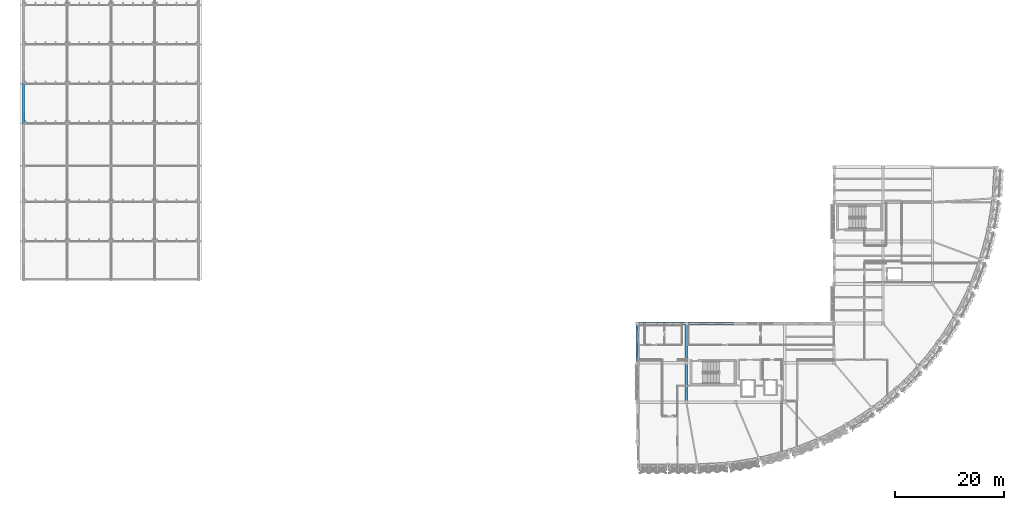
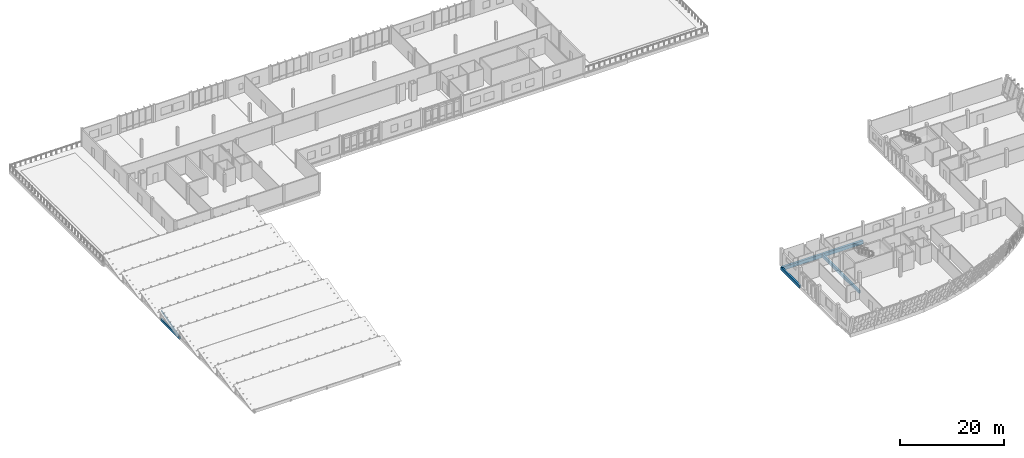
# One storey, part 25 of 94: 5 beams, 2 members.
"""IFC4 building model written with IfcOpenShell, lengths in metres."""

from ifc_helpers import new_model, si_unit, direction, frame, origin, origin_2d, place, context, subcontext, project, spatial, rectangle, extrude, material, material_profile, profile_set, type_object, element, save


model = new_model("IFC4")

# Units and contexts
model_context = context("Model", 3, precision=1e-05, world=origin(), true_north=direction((0.0, 1.0)))
body_context = subcontext(model_context, "Body", "Model", "MODEL_VIEW")
ifc_project = project(units=[si_unit("LENGTHUNIT", "METRE"), si_unit("AREAUNIT", "SQUARE_METRE"), si_unit("VOLUMEUNIT", "CUBIC_METRE"), si_unit("PLANEANGLEUNIT", "RADIAN"), si_unit("MASSUNIT", "GRAM", prefix="KILO")], contexts=[model_context])

# Site, building, storey
site_placement = place(None, origin())
site = spatial("IfcSite", under=ifc_project, at=site_placement, CompositionType="ELEMENT")
building_placement = place(site_placement, origin())
building = spatial("IfcBuilding", under=site, at=building_placement, Name="Chiffa Square Polytechnic", CompositionType="ELEMENT")
storey_placement = place(building_placement, frame((0.0, 0.0, 18.0)))
storey = spatial("IfcBuildingStorey", under=building, at=storey_placement, Name="L04", CompositionType="ELEMENT", Elevation=18.0)

# Beams
ifc_material_1 = material(Name="Concrete C35/45", Category="concrete")
ifc_material_profile_1 = material_profile(ifc_material_1, rectangle(XDim=0.39990234375, YDim=0.64990234375, at=origin_2d()), Name="RC 400x650")
ifc_profile_set_1 = profile_set([ifc_material_profile_1], Name="Concrete C35/45")
beam_type_1 = type_object("IfcBeamType", Name="BM-RC-400X650", PredefinedType="BEAM", material=ifc_profile_set_1)
beam_1_placement = place(storey_placement, frame((112.199951171875, 21.60009765625, -0.56494140625), z_axis=(0.0, 1.0, 0.0), x_axis=(-1.0, 0.0, 0.0)))
element("IfcBeam", 1, at=beam_1_placement, inside=storey, type_object=beam_type_1, Name="Primary floor girder BM-V1-L04-Y-1122-0216", PredefinedType="BEAM", context=body_context, shape_type="SweptSolid", body=[
    extrude(rectangle(XDim=0.39990234375, YDim=0.64990234375, at=origin_2d()), origin(), (0.0, 0.0, 1.0), 7.199951171875),
])
beam_2_placement = place(storey_placement, frame((121.199951171875, 14.39990234375, -0.56494140625), z_axis=(0.0, 1.0, 0.0), x_axis=(-1.0, 0.0, 0.0)))
element("IfcBeam", 2, at=beam_2_placement, inside=storey, type_object=beam_type_1, Name="Primary floor girder BM-V1-L04-Y-1212-0144", PredefinedType="BEAM", context=body_context, shape_type="SweptSolid", body=[
    extrude(rectangle(XDim=0.39990234375, YDim=0.64990234375, at=origin_2d()), origin(), (0.0, 0.0, 1.0), 7.2001953125),
])
beam_3_placement = place(storey_placement, frame((121.199951171875, 21.60009765625, -0.56494140625), z_axis=(0.0, 1.0, 0.0), x_axis=(-1.0, 0.0, 0.0)))
element("IfcBeam", 3, at=beam_3_placement, inside=storey, type_object=beam_type_1, Name="Primary floor girder BM-V1-L04-Y-1212-0216", PredefinedType="BEAM", context=body_context, shape_type="SweptSolid", body=[
    extrude(rectangle(XDim=0.39990234375, YDim=0.64990234375, at=origin_2d()), origin(), (0.0, 0.0, 1.0), 7.199951171875),
])
ifc_material_2 = material(Name="Concrete C40/50", Category="concrete")
ifc_material_profile_2 = material_profile(ifc_material_2, rectangle(XDim=0.5, YDim=0.800048828125, at=origin_2d()), Name="RC 500x800")
ifc_profile_set_2 = profile_set([ifc_material_profile_2], Name="Concrete C40/50")
beam_type_2 = type_object("IfcBeamType", Name="BM-RC-500X800", PredefinedType="BEAM", material=ifc_profile_set_2)
for number, where, z_axis, x_axis, name in (
    (4, (112.199951171875, 28.800048828125, -0.639892578125), (1.0, 0.0, 0.0), (0.0, 1.0, 0.0), "Primary floor girder BM-V1-L04-X-1122-0288"),
    (5, (121.199951171875, 28.800048828125, -0.639892578125), (1.0, 0.0, 0.0), (0.0, 1.0, 0.0), "Primary floor girder BM-V1-L04-X-1212-0288"),
):
    element("IfcBeam", number, at=place(storey_placement, frame(where, z_axis=z_axis, x_axis=x_axis)), inside=storey, type_object=beam_type_2, Name=name, PredefinedType="BEAM", context=body_context, shape_type="SweptSolid", body=[
        extrude(rectangle(XDim=0.5, YDim=0.800048828125, at=origin_2d()), origin(), (0.0, 0.0, 1.0), 9.0),
    ])

# Members
ifc_material_3 = material(Name="Glulam GL32c", Category="wood")
ifc_material_profile_3 = material_profile(ifc_material_3, rectangle(XDim=0.320068359375, YDim=0.60009765625, at=origin_2d()), Name="GL32c 320x600")
ifc_profile_set_3 = profile_set([ifc_material_profile_3], Name="Glulam GL32c")
member_type_1 = type_object("IfcMemberType", Name="MEM-CHORD-GL320", PredefinedType="CHORD", material=ifc_profile_set_3)
member_1_placement = place(storey_placement, frame((0.0, 65.39990234375, 0.179931640625), z_axis=(0.0, 1.0, 0.0), x_axis=(-1.0, 0.0, 0.0)))
element("IfcMember", 6, at=member_1_placement, inside=storey, type_object=member_type_1, Name="Studio sawtooth tie chord TCB-V6-SAW-021", PredefinedType="CHORD", context=body_context, shape_type="SweptSolid", body=[
    extrude(rectangle(XDim=0.320068359375, YDim=0.60009765625, at=origin_2d()), origin(), (0.0, 0.0, 1.0), 7.2001953125),
])
ifc_material_4 = material(Name="Glulam GL28h", Category="wood")
ifc_material_profile_4 = material_profile(ifc_material_4, rectangle(XDim=0.179931640625, YDim=0.360107421875, at=origin_2d()), Name="GL28h 180x360")
ifc_profile_set_4 = profile_set([ifc_material_profile_4], Name="Glulam GL28h")
member_type_2 = type_object("IfcMemberType", Name="MEM-RFT-GL180", PredefinedType="RAFTER", material=ifc_profile_set_4)
member_2_placement = place(storey_placement, frame((0.0, 65.39990234375, 0.300048828125), z_axis=(0.0, 0.965936941461, 0.258777559151), x_axis=(-1.0, 0.0, 0.0)))
element("IfcMember", 7, at=member_2_placement, inside=storey, type_object=member_type_2, Name="Studio sawtooth glulam rafter RF-V6-L04-021", PredefinedType="RAFTER", context=body_context, shape_type="SweptSolid", body=[
    extrude(rectangle(XDim=0.179931640625, YDim=0.360107421875, at=origin_2d()), origin(), (0.0, 0.0, 1.0), 7.4541015625),
])

save(model, "model.ifc")
